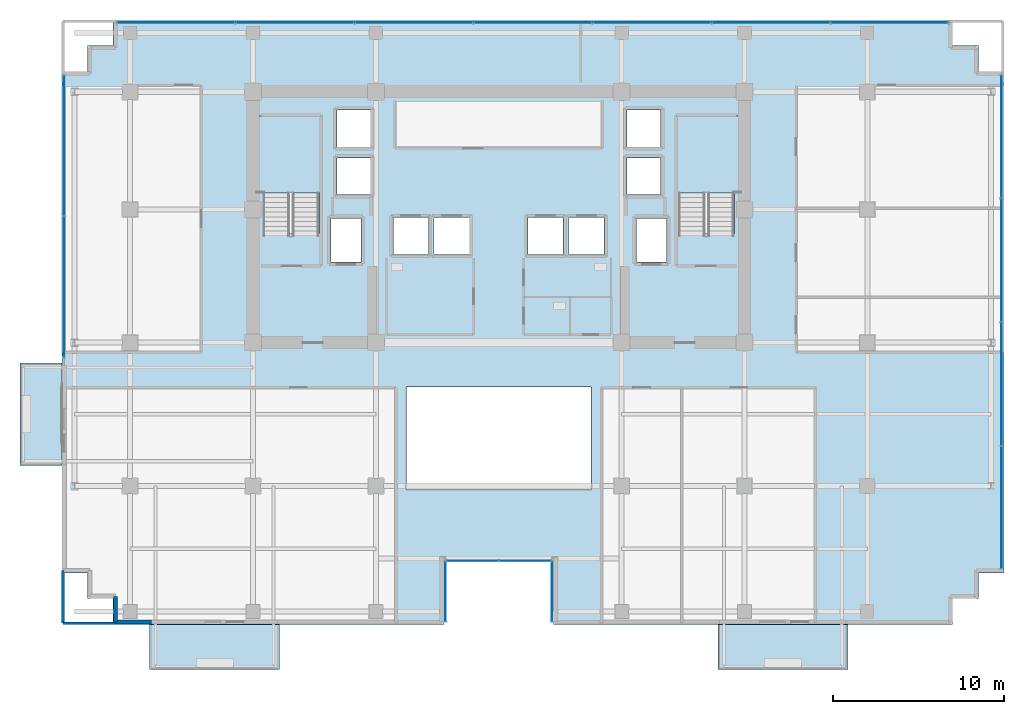
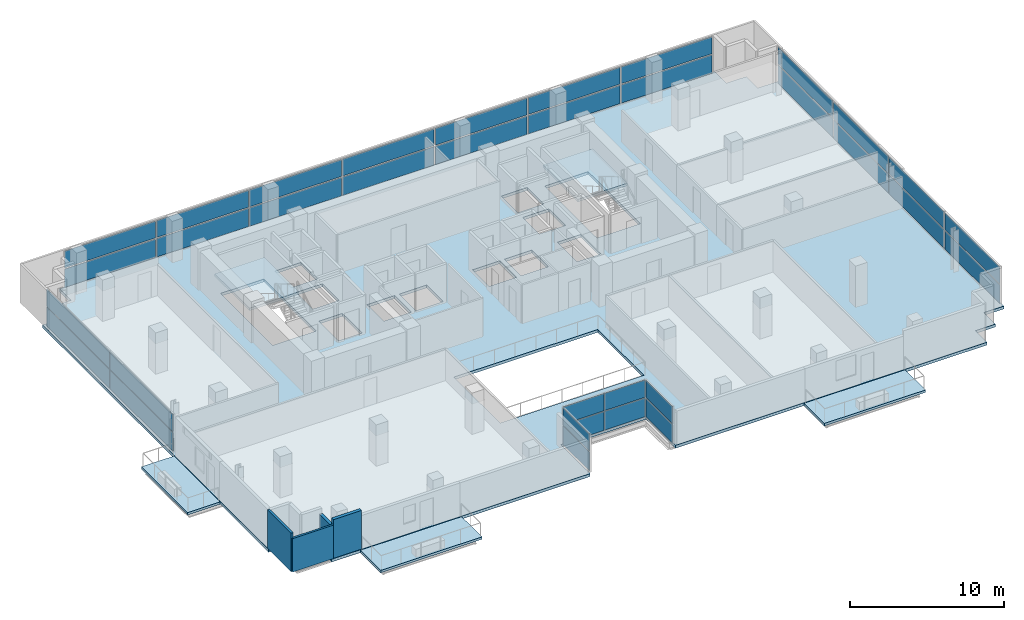
# One storey, part 14 of 23: 34 plates, 6 slabs, 4 walls, 8 elements without a shape of their own.
"""IFC4 building model written with IfcOpenShell, lengths in metres."""

import ifcopenshell
import ifcopenshell.guid

model = None  # the IFC model being written
_history = None  # IfcOwnerHistory: only IFC2X3 demands one
_inside = {}  # id of a spatial element -> (the spatial element, [elements in it])
_under = {}  # id of a project, library or spatial element -> (it, [spatial elements below it])
_declared = {}  # id of a project -> (the project, [libraries it declares])
_typed = {}  # id of a type object -> (the type object, [elements of that type])
_made_of = {}  # id of a material, layer set ... -> (it, [elements and type objects made of it])


def new_model(schema):
    """Start an empty IFC model of exactly this schema.

    Asked for "IFC4X3", IfcOpenShell would pick the latest addendum, in which some entities
    have other attributes; the version numbers below select the first issue.
    IFC2X3 requires an IfcOwnerHistory on every rooted entity: one is made here for all.
    """
    global model, _history
    if schema == "IFC4X3":
        model = ifcopenshell.file(schema_version=(4, 3, 0, 0))
    else:
        model = ifcopenshell.file(schema=schema)
    _inside.clear()
    _under.clear()
    _declared.clear()
    _typed.clear()
    _made_of.clear()
    _history = None
    if model.schema == "IFC2X3":
        org = make("IfcOrganization", Name="unknown")
        user = make(
            "IfcPersonAndOrganization",
            ThePerson=make("IfcPerson", FamilyName="unknown"),
            TheOrganization=org,
        )
        app = make(
            "IfcApplication",
            ApplicationDeveloper=org,
            Version="unknown",
            ApplicationFullName="unknown",
            ApplicationIdentifier="unknown",
        )
        _history = make(
            "IfcOwnerHistory",
            OwningUser=user,
            OwningApplication=app,
            ChangeAction="ADDED",
            CreationDate=0,
        )
    return model


def make(cls, **values):
    """One entity of the class cls with the attributes given. An attribute that is None is left unset."""
    return model.create_entity(
        cls, **{name: value for name, value in values.items() if value is not None}
    )


def rooted(cls, **values):
    """An entity with a GlobalId (a new one), such as an element, a storey or a relation."""
    return make(cls, GlobalId=ifcopenshell.guid.new(), OwnerHistory=_history, **values)


def si_unit(unit_type, name, prefix=None):
    """IfcSIUnit, for example si_unit("LENGTHUNIT", "METRE", prefix="MILLI")."""
    return make("IfcSIUnit", UnitType=unit_type, Prefix=prefix, Name=name)


def assignment(units):
    """IfcUnitAssignment: the units of a project."""
    return None if units is None else make("IfcUnitAssignment", Units=units)


def point(xyz):
    """IfcCartesianPoint."""
    return None if xyz is None else make("IfcCartesianPoint", Coordinates=xyz)


def direction(xyz):
    """IfcDirection."""
    return None if xyz is None else make("IfcDirection", DirectionRatios=xyz)


def frame(location, z_axis=None, x_axis=None):
    """IfcAxis2Placement3D, a coordinate frame: its origin and axes. An axis left out is left unset."""
    return make(
        "IfcAxis2Placement3D",
        Location=point(location),
        Axis=direction(z_axis),
        RefDirection=direction(x_axis),
    )


def frame_2d(location, x_axis=None):
    """IfcAxis2Placement2D, a coordinate frame in the plane: its origin and x axis."""
    return make(
        "IfcAxis2Placement2D", Location=point(location), RefDirection=direction(x_axis)
    )


def origin():
    """The frame at (0, 0, 0) with its axes left unset."""
    return frame((0.0, 0.0, 0.0))


def origin_2d():
    """The frame at (0, 0) in the plane with its x axis left unset."""
    return frame_2d((0.0, 0.0))


def place(relative_to, where):
    """IfcLocalPlacement: puts the frame where relative to a parent placement (None: the world)."""
    return make(
        "IfcLocalPlacement", PlacementRelTo=relative_to, RelativePlacement=where
    )


def context(
    kind, dimensions, precision=None, world=None, true_north=None, identifier=None
):
    """IfcGeometricRepresentationContext, for example the 3D "Model" context."""
    return make(
        "IfcGeometricRepresentationContext",
        ContextIdentifier=identifier,
        ContextType=kind,
        CoordinateSpaceDimension=dimensions,
        Precision=precision,
        WorldCoordinateSystem=world,
        TrueNorth=true_north,
    )


def subcontext(parent, identifier, kind, view, scale=None):
    """IfcGeometricRepresentationSubContext, for example "Body" below "Model"."""
    return make(
        "IfcGeometricRepresentationSubContext",
        ContextIdentifier=identifier,
        ContextType=kind,
        ParentContext=parent,
        TargetScale=scale,
        TargetView=view,
    )


def project(units=None, contexts=None):
    """IfcProject with its units and contexts."""
    return rooted(
        "IfcProject",
        Name="project",
        RepresentationContexts=contexts,
        UnitsInContext=assignment(units),
    )


def spatial(cls, under=None, at=None, **own):
    """A site, building, storey or space (cls), placed at a placement, below another one or the project."""
    s = rooted(cls, ObjectPlacement=at, **own)
    if under is not None:
        _under.setdefault(under.id(), (under, []))[1].append(s)
    return s


def polyline(points):
    """IfcPolyline through the points."""
    return make("IfcPolyline", Points=[point(p) for p in points])


def profile(cls, at=None, kind="AREA", **sizes):
    """A parametric profile (cls). Its sizes go by their IFC names, for example OverallWidth=200.0."""
    return make(cls, ProfileType=kind, Position=at, **sizes)


def rectangle(**sizes):
    """IfcRectangleProfileDef."""
    return profile("IfcRectangleProfileDef", **sizes)


def outline(outer, holes=None, kind="AREA"):
    """IfcArbitraryClosedProfileDef: a profile drawn as a closed curve; with holes, ...WithVoids."""
    if holes is None:
        return make("IfcArbitraryClosedProfileDef", ProfileType=kind, OuterCurve=outer)
    return make(
        "IfcArbitraryProfileDefWithVoids",
        ProfileType=kind,
        OuterCurve=outer,
        InnerCurves=holes,
    )


def extrude(swept, where, along, depth):
    """IfcExtrudedAreaSolid: the profile swept, set in the frame where, extruded along a direction by depth."""
    return make(
        "IfcExtrudedAreaSolid",
        SweptArea=swept,
        Position=where,
        ExtrudedDirection=direction(along),
        Depth=depth,
    )


def shape(context_of_items, identifier, shape_type, items):
    """IfcShapeRepresentation: the items that make up one representation, for example the "Body"."""
    return make(
        "IfcShapeRepresentation",
        ContextOfItems=context_of_items,
        RepresentationIdentifier=identifier,
        RepresentationType=shape_type,
        Items=items,
    )


def source(mapping_origin, context_of_items, identifier, shape_type, items):
    """IfcRepresentationMap: a shape defined once, which mapped items show again and again."""
    return make(
        "IfcRepresentationMap",
        MappingOrigin=mapping_origin,
        MappedRepresentation=shape(context_of_items, identifier, shape_type, items),
    )


def transform(
    local_origin,
    x_axis=None,
    y_axis=None,
    z_axis=None,
    scale=None,
    scale2=None,
    scale3=None,
    uniform=True,
):
    """IfcCartesianTransformationOperator3D, or its non-uniform kind. x_axis, y_axis, z_axis: its Axis1, 2, 3."""
    if uniform:
        return make(
            "IfcCartesianTransformationOperator3D",
            Axis1=direction(x_axis),
            Axis2=direction(y_axis),
            LocalOrigin=point(local_origin),
            Scale=scale,
            Axis3=direction(z_axis),
        )
    return make(
        "IfcCartesianTransformationOperator3DnonUniform",
        Axis1=direction(x_axis),
        Axis2=direction(y_axis),
        LocalOrigin=point(local_origin),
        Scale=scale,
        Axis3=direction(z_axis),
        Scale2=scale2,
        Scale3=scale3,
    )


def mapped(mapping_source, mapping_target):
    """IfcMappedItem: shows the shape of a source again, moved by a transform."""
    return make(
        "IfcMappedItem", MappingSource=mapping_source, MappingTarget=mapping_target
    )


def material(Name=None, Category=None):
    """IfcMaterial."""
    return make("IfcMaterial", Name=Name, Category=Category)


def layer(
    of_material, thickness, ventilated=None, Name=None, Category=None, Priority=None
):
    """IfcMaterialLayer: one layer of a wall or slab, of a material (None: an air gap)."""
    return make(
        "IfcMaterialLayer",
        Material=of_material,
        LayerThickness=thickness,
        IsVentilated=ventilated,
        Name=Name,
        Category=Category,
        Priority=Priority,
    )


def layer_set(layers, Name=None):
    """IfcMaterialLayerSet."""
    return make("IfcMaterialLayerSet", MaterialLayers=layers, LayerSetName=Name)


def made_of(thing, what):
    """Note that an element or type object is made of a material, layer set ...; save() writes the relation."""
    if what is not None:
        _made_of.setdefault(what.id(), (what, []))[1].append(thing)
    return thing


def type_object(cls, material=None, **own):
    """A type object (cls), such as IfcWallType, which elements share."""
    return made_of(rooted(cls, **own), material)


def element(
    cls,
    number,
    at=None,
    inside=None,
    cuts=None,
    type_object=None,
    material=None,
    context=None,
    identifier="Body",
    shape_type=None,
    held_by="IfcProductDefinitionShape",
    body=None,
    shapes=None,
    **own,
):
    """One element of the class cls, such as IfcWall. Its Tag is "e" and its number.

    at: its placement. inside: the storey or other place that contains it. cuts: it is an
    opening in that element (IfcRelVoidsElement). A single representation is given by context,
    identifier, shape_type and body (its items); several are given by shapes. held_by: the class
    of the entity that holds the representations. save() writes the other relations.
    """
    e = rooted(cls, Tag="e%d" % number, ObjectPlacement=at, **own)
    if body is not None:
        shapes = [shape(context, identifier, shape_type, body)]
    if shapes is not None:
        e.Representation = make(held_by, Representations=shapes)
    if inside is not None:
        _inside.setdefault(inside.id(), (inside, []))[1].append(e)
    if cuts is not None:
        rooted(
            "IfcRelVoidsElement", RelatingBuildingElement=cuts, RelatedOpeningElement=e
        )
    if type_object is not None:
        _typed.setdefault(type_object.id(), (type_object, []))[1].append(e)
    return made_of(e, material)


def aggregate(whole, parts):
    """IfcRelAggregates: a whole, such as a stair, and the parts it consists of."""
    return rooted("IfcRelAggregates", RelatingObject=whole, RelatedObjects=parts)


def save(model, path):
    """Write the relations noted so far, then the file.

    IfcRelAggregates (storeys below a building ...), IfcRelContainedInSpatialStructure (elements
    in a storey), IfcRelDefinesByType, IfcRelAssociatesMaterial and IfcRelDeclares: one each for
    every whole, place, type object, material and project.
    """
    for whole, parts in _under.values():
        aggregate(whole, parts)
    for where, things in _inside.values():
        rooted(
            "IfcRelContainedInSpatialStructure",
            RelatedElements=things,
            RelatingStructure=where,
        )
    for kind, things in _typed.values():
        rooted("IfcRelDefinesByType", RelatedObjects=things, RelatingType=kind)
    for what, things in _made_of.values():
        rooted("IfcRelAssociatesMaterial", RelatedObjects=things, RelatingMaterial=what)
    for by, libraries in _declared.values():
        rooted("IfcRelDeclares", RelatingContext=by, RelatedDefinitions=libraries)
    model.write(path)


model = new_model("IFC4")

# Units and contexts
model_context = context("Model", 3, precision=1e-05, world=origin(), true_north=direction((0.0, 1.0)))
body_context = subcontext(model_context, "Body", "Model", "MODEL_VIEW")
ifc_project = project(units=[si_unit("LENGTHUNIT", "METRE"), si_unit("AREAUNIT", "SQUARE_METRE"), si_unit("VOLUMEUNIT", "CUBIC_METRE"), si_unit("PLANEANGLEUNIT", "RADIAN"), si_unit("MASSUNIT", "GRAM", prefix="KILO")], contexts=[model_context])

# Site, building, storey
site_placement = place(None, origin())
site = spatial("IfcSite", under=ifc_project, at=site_placement, CompositionType="ELEMENT")
building_placement = place(site_placement, origin())
building = spatial("IfcBuilding", under=site, at=building_placement, Name="Zarnakvel Exchange Tower", CompositionType="ELEMENT")
storey_placement = place(building_placement, frame((0.0, 0.0, 123.10009765625)))
storey = spatial("IfcBuildingStorey", under=building, at=storey_placement, Name="L34", CompositionType="ELEMENT", Elevation=123.10009765625)

# Stair, slab
ifc_material_1 = material(Name="Concrete C40/50", Category="concrete")
stair_type = type_object("IfcStairType", Name="STR-01", PredefinedType="HALF_TURN_STAIR", material=ifc_material_1)
stair_1_placement = place(storey_placement, origin())
stair_1 = element("IfcStair", 1, at=stair_1_placement, inside=storey, type_object=stair_type, Name="L34 Protected Core Exit Stair ST-01", PredefinedType="HALF_TURN_STAIR")
ifc_layer_1 = layer(ifc_material_1, 0.199951171875)
ifc_layer_set_1 = layer_set([ifc_layer_1], Name="Concrete C40/50")
slab_type_1 = type_object("IfcSlabType", Name="LDG-01", PredefinedType="LANDING", material=ifc_layer_set_1)
slab_1_placement = place(storey_placement, frame((0.0, 0.0, 1.449951171875)))
slab_1 = element("IfcSlab", 2, at=slab_1_placement, type_object=slab_type_1, Name="ST-01 landing 1", PredefinedType="LANDING", context=body_context, shape_type="SweptSolid", body=[
    extrude(outline(polyline([(-14.18994140625, 7.570068359375), (-10.4599609375, 7.570068359375), (-10.4599609375, 12.080078125), (-14.18994140625, 12.080078125), (-14.18994140625, 7.570068359375)])), origin(), (0.0, 0.0, 1.0), 0.199951171875),
])
aggregate(stair_1, [slab_1])

stair_2_placement = place(storey_placement, origin())
stair_2 = element("IfcStair", 3, at=stair_2_placement, inside=storey, type_object=stair_type, Name="L34 Protected Core Exit Stair ST-02", PredefinedType="HALF_TURN_STAIR")
slab_2_placement = place(storey_placement, frame((0.0, 0.0, 1.449951171875)))
slab_2 = element("IfcSlab", 4, at=slab_2_placement, type_object=slab_type_1, Name="ST-02 landing 1", PredefinedType="LANDING", context=body_context, shape_type="SweptSolid", body=[
    extrude(outline(polyline([(10.4599609375, 7.570068359375), (14.18994140625, 7.570068359375), (14.18994140625, 12.080078125), (10.4599609375, 12.080078125), (10.4599609375, 7.570068359375)])), origin(), (0.0, 0.0, 1.0), 0.199951171875),
])
aggregate(stair_2, [slab_2])

# Slabs
ifc_layer_2 = layer(ifc_material_1, 0.22509765625)
ifc_layer_set_2 = layer_set([ifc_layer_2], Name="Concrete C40/50")
slab_type_2 = type_object("IfcSlabType", Name="SL-04", PredefinedType="FLOOR", material=ifc_layer_set_2)
slab_3_placement = place(storey_placement, frame((0.0, 0.0, -0.22509765625)))
element("IfcSlab", 5, at=slab_3_placement, inside=storey, type_object=slab_type_2, Name="L34 Primary Structural Floor Slab", PredefinedType="FLOOR", context=body_context, shape_type="SweptSolid", body=[
    extrude(outline(polyline([(-25.60009765625, -14.699951171875), (-24.10009765625, -14.699951171875), (-24.10009765625, -16.199951171875), (-22.60009765625, -16.199951171875), (-22.60009765625, -17.699951171875), (-3.199951171875, -17.699951171875), (-3.199951171875, -13.89990234375), (3.199951171875, -13.89990234375), (3.199951171875, -17.699951171875), (26.60009765625, -17.699951171875), (26.60009765625, -16.199951171875), (28.10009765625, -16.199951171875), (28.10009765625, -14.699951171875), (29.60009765625, -14.699951171875), (29.60009765625, 14.699951171875), (28.10009765625, 14.699951171875), (28.10009765625, 16.199951171875), (26.60009765625, 16.199951171875), (26.60009765625, 17.699951171875), (-22.60009765625, 17.699951171875), (-22.60009765625, 16.199951171875), (-24.10009765625, 16.199951171875), (-24.10009765625, 14.699951171875), (-25.60009765625, 14.699951171875), (-25.60009765625, -14.699951171875)]), holes=[polyline([(-5.39990234375, -9.800048828125), (5.39990234375, -9.800048828125), (5.39990234375, -3.800048828125), (-5.39990234375, -3.800048828125), (-5.39990234375, -9.800048828125)]), polyline([(-13.800048828125, 5.2099609375), (-10.5400390625, 5.2099609375), (-10.5400390625, 12.0), (-13.800048828125, 12.0), (-13.800048828125, 5.2099609375)]), polyline([(10.5400390625, 5.2099609375), (13.800048828125, 5.2099609375), (13.800048828125, 12.0), (10.5400390625, 12.0), (10.5400390625, 5.2099609375)]), polyline([(-9.830078125, 3.52001953125), (-8.070068359375, 3.52001953125), (-8.070068359375, 6.080078125), (-9.830078125, 6.080078125), (-9.830078125, 3.52001953125)]), polyline([(8.070068359375, 3.52001953125), (9.830078125, 3.52001953125), (9.830078125, 6.080078125), (8.070068359375, 6.080078125), (8.070068359375, 3.52001953125)]), polyline([(-6.179931640625, 3.969970703125), (-4.1201171875, 3.969970703125), (-4.1201171875, 6.1298828125), (-6.179931640625, 6.1298828125), (-6.179931640625, 3.969970703125)]), polyline([(-3.780029296875, 3.969970703125), (-1.719970703125, 3.969970703125), (-1.719970703125, 6.1298828125), (-3.780029296875, 6.1298828125), (-3.780029296875, 3.969970703125)]), polyline([(1.719970703125, 3.969970703125), (3.780029296875, 3.969970703125), (3.780029296875, 6.1298828125), (1.719970703125, 6.1298828125), (1.719970703125, 3.969970703125)]), polyline([(4.1201171875, 3.969970703125), (6.179931640625, 3.969970703125), (6.179931640625, 6.1298828125), (4.1201171875, 6.1298828125), (4.1201171875, 3.969970703125)]), polyline([(-9.47998046875, 7.469970703125), (-7.52001953125, 7.469970703125), (-7.52001953125, 9.6298828125), (-9.47998046875, 9.6298828125), (-9.47998046875, 7.469970703125)]), polyline([(-9.47998046875, 10.27001953125), (-7.52001953125, 10.27001953125), (-7.52001953125, 12.429931640625), (-9.47998046875, 12.429931640625), (-9.47998046875, 10.27001953125)]), polyline([(7.52001953125, 7.469970703125), (9.47998046875, 7.469970703125), (9.47998046875, 9.6298828125), (7.52001953125, 9.6298828125), (7.52001953125, 7.469970703125)]), polyline([(7.52001953125, 10.27001953125), (9.47998046875, 10.27001953125), (9.47998046875, 12.429931640625), (7.52001953125, 12.429931640625), (7.52001953125, 10.27001953125)])]), origin(), (0.0, 0.0, 1.0), 0.22509765625),
])
ifc_layer_3 = layer(ifc_material_1, 0.18994140625)
ifc_layer_set_3 = layer_set([ifc_layer_3], Name="Concrete C40/50")
slab_type_3 = type_object("IfcSlabType", Name="SL-08", PredefinedType="USERDEFINED", material=ifc_layer_set_3)
slab_4_placement = place(storey_placement, frame((0.0, 0.0, -0.22509765625)))
element("IfcSlab", 6, at=slab_4_placement, inside=storey, type_object=slab_type_3, Name="L34 Planted Loggia Balcony Slab BAL-L34-SW", ObjectType="BALCONY", PredefinedType="USERDEFINED", context=body_context, shape_type="SweptSolid", body=[
    extrude(outline(polyline([(-20.449951171875, -20.35009765625), (-12.85009765625, -20.35009765625), (-12.85009765625, -17.699951171875), (-20.449951171875, -17.699951171875), (-20.449951171875, -20.35009765625)])), origin(), (0.0, 0.0, 1.0), 0.18994140625),
])
slab_5_placement = place(storey_placement, frame((0.0, 0.0, -0.22509765625)))
element("IfcSlab", 7, at=slab_5_placement, inside=storey, type_object=slab_type_3, Name="L34 Planted Loggia Balcony Slab BAL-L34-SE", ObjectType="BALCONY", PredefinedType="USERDEFINED", context=body_context, shape_type="SweptSolid", body=[
    extrude(outline(polyline([(12.85009765625, -20.35009765625), (20.449951171875, -20.35009765625), (20.449951171875, -17.699951171875), (12.85009765625, -17.699951171875), (12.85009765625, -20.35009765625)])), origin(), (0.0, 0.0, 1.0), 0.18994140625),
])
slab_6_placement = place(storey_placement, frame((0.0, 0.0, -0.22509765625)))
element("IfcSlab", 8, at=slab_6_placement, inside=storey, type_object=slab_type_3, Name="L34 Planted Loggia Balcony Slab BAL-L34-W", ObjectType="BALCONY", PredefinedType="USERDEFINED", context=body_context, shape_type="SweptSolid", body=[
    extrude(outline(polyline([(-28.050048828125, -8.39990234375), (-25.60009765625, -8.39990234375), (-25.60009765625, -2.39990234375), (-28.050048828125, -2.39990234375), (-28.050048828125, -8.39990234375)])), origin(), (0.0, 0.0, 1.0), 0.18994140625),
])

# Curtain wall, plate
ifc_material_2 = material(Name="Architectural Bronze Anodised Aluminium", Category="aluminium")
ifc_layer_4 = layer(ifc_material_2, 0.179931640625)
ifc_layer_set_4 = layer_set([ifc_layer_4], Name="Architectural Bronze Anodised Aluminium")
curtain_wall_type_1 = type_object("IfcCurtainWallType", Name="CW-05", PredefinedType="NOTDEFINED", material=ifc_layer_set_4)
curtain_wall_1_placement = place(storey_placement, origin())
curtain_wall_1 = element("IfcCurtainWall", 9, at=curtain_wall_1_placement, inside=storey, type_object=curtain_wall_type_1, Name="L34 Curtain Wall CW-L34-SLW (CW-05)", PredefinedType="NOTDEFINED")
ifc_material_3 = material(Name="Double Low-E Laminated Vision Glass", Category="glass")
ifc_layer_5 = layer(ifc_material_3, 0.02587890625)
ifc_layer_set_5 = layer_set([ifc_layer_5], Name="Double Low-E Laminated Vision Glass")
plate_type_1 = type_object("IfcPlateType", Name="CWP-05", PredefinedType="CURTAIN_PANEL", material=ifc_layer_set_5)
shared_shape_1 = source(origin(), body_context, "Body", "SweptSolid", [
    extrude(rectangle(XDim=3.4599609375, YDim=0.02587890625, at=origin_2d()), origin(), (0.0, 0.0, 1.0), 1.483642578125),
])
plate_1_placement = place(storey_placement, frame((-3.1201171875, -15.780029296875, 0.06982421875), z_axis=(0.0, 0.0, 1.0), x_axis=(0.0, 1.0, 0.0)))
plate_1 = element("IfcPlate", 10, at=plate_1_placement, type_object=plate_type_1, Name="CW-05 panel 1.1", PredefinedType="CURTAIN_PANEL", context=body_context, shape_type="MappedRepresentation", body=[
    mapped(shared_shape_1, transform((0.0, 0.0, 0.0), x_axis=(1.0, 0.0, 0.0), y_axis=(0.0, 1.0, 0.0), z_axis=(0.0, 0.0, 1.0), scale=1.0)),
])

curtain_wall_2_placement = place(storey_placement, origin())
curtain_wall_2 = element("IfcCurtainWall", 11, at=curtain_wall_2_placement, inside=storey, type_object=curtain_wall_type_1, Name="L34 Curtain Wall CW-L34-SLE (CW-05)", PredefinedType="NOTDEFINED")
plate_2_placement = place(storey_placement, frame((3.1201171875, -15.780029296875, 0.06982421875), z_axis=(0.0, 0.0, 1.0), x_axis=(0.0, -1.0, 0.0)))
plate_2 = element("IfcPlate", 12, at=plate_2_placement, type_object=plate_type_1, Name="CW-05 panel 1.1", PredefinedType="CURTAIN_PANEL", context=body_context, shape_type="MappedRepresentation", body=[
    mapped(shared_shape_1, transform((0.0, 0.0, 0.0), x_axis=(1.0, 0.0, 0.0), y_axis=(0.0, 1.0, 0.0), z_axis=(0.0, 0.0, 1.0), scale=1.0)),
])

# Plate
shared_shape_2 = source(origin(), body_context, "Body", "SweptSolid", [
    extrude(rectangle(XDim=3.4599609375, YDim=0.02587890625, at=origin_2d()), origin(), (0.0, 0.0, 1.0), 1.361328125),
])
plate_3_placement = place(storey_placement, frame((-3.1201171875, -15.780029296875, 1.62353515625), z_axis=(0.0, 0.0, 1.0), x_axis=(0.0, 1.0, 0.0)))
plate_3 = element("IfcPlate", 13, at=plate_3_placement, type_object=plate_type_1, Name="CW-05 panel 1.2", PredefinedType="CURTAIN_PANEL", context=body_context, shape_type="MappedRepresentation", body=[
    mapped(shared_shape_2, transform((0.0, 0.0, 0.0), x_axis=(1.0, 0.0, 0.0), y_axis=(0.0, 1.0, 0.0), z_axis=(0.0, 0.0, 1.0), scale=1.0)),
])

aggregate(curtain_wall_1, [plate_1, plate_3])

plate_4_placement = place(storey_placement, frame((3.1201171875, -15.780029296875, 1.62353515625), z_axis=(0.0, 0.0, 1.0), x_axis=(0.0, -1.0, 0.0)))
plate_4 = element("IfcPlate", 14, at=plate_4_placement, type_object=plate_type_1, Name="CW-05 panel 1.2", PredefinedType="CURTAIN_PANEL", context=body_context, shape_type="MappedRepresentation", body=[
    mapped(shared_shape_2, transform((0.0, 0.0, 0.0), x_axis=(1.0, 0.0, 0.0), y_axis=(0.0, 1.0, 0.0), z_axis=(0.0, 0.0, 1.0), scale=1.0)),
])

aggregate(curtain_wall_2, [plate_2, plate_4])

# Curtain wall, plates
curtain_wall_3_placement = place(storey_placement, origin())
curtain_wall_3 = element("IfcCurtainWall", 15, at=curtain_wall_3_placement, inside=storey, type_object=curtain_wall_type_1, Name="L34 Curtain Wall CW-L34-SLB (CW-05)", PredefinedType="NOTDEFINED")
shared_shape_3 = source(origin(), body_context, "Body", "SweptSolid", [
    extrude(rectangle(XDim=3.014892578125, YDim=0.02587890625, at=origin_2d()), origin(), (0.0, 0.0, 1.0), 1.483642578125),
])
plate_5_placement = place(storey_placement, frame((-1.54248046875, -13.97998046875, 0.06982421875), z_axis=(0.0, 0.0, 1.0), x_axis=(1.0, 0.0, 0.0)))
plate_5 = element("IfcPlate", 16, at=plate_5_placement, type_object=plate_type_1, Name="CW-05 panel 1.1", PredefinedType="CURTAIN_PANEL", context=body_context, shape_type="MappedRepresentation", body=[
    mapped(shared_shape_3, transform((0.0, 0.0, 0.0), x_axis=(1.0, 0.0, 0.0), y_axis=(0.0, 1.0, 0.0), z_axis=(0.0, 0.0, 1.0), scale=1.0)),
])
plate_6_placement = place(storey_placement, frame((1.54248046875, -13.97998046875, 0.06982421875), z_axis=(0.0, 0.0, 1.0), x_axis=(1.0, 0.0, 0.0)))
plate_6 = element("IfcPlate", 17, at=plate_6_placement, type_object=plate_type_1, Name="CW-05 panel 2.1", PredefinedType="CURTAIN_PANEL", context=body_context, shape_type="MappedRepresentation", body=[
    mapped(shared_shape_3, transform((0.0, 0.0, 0.0), x_axis=(1.0, 0.0, 0.0), y_axis=(0.0, 1.0, 0.0), z_axis=(0.0, 0.0, 1.0), scale=1.0)),
])
shared_shape_4 = source(origin(), body_context, "Body", "SweptSolid", [
    extrude(rectangle(XDim=3.014892578125, YDim=0.02587890625, at=origin_2d()), origin(), (0.0, 0.0, 1.0), 1.361328125),
])
plate_7_placement = place(storey_placement, frame((-1.54248046875, -13.97998046875, 1.62353515625), z_axis=(0.0, 0.0, 1.0), x_axis=(1.0, 0.0, 0.0)))
plate_7 = element("IfcPlate", 18, at=plate_7_placement, type_object=plate_type_1, Name="CW-05 panel 1.2", PredefinedType="CURTAIN_PANEL", context=body_context, shape_type="MappedRepresentation", body=[
    mapped(shared_shape_4, transform((0.0, 0.0, 0.0), x_axis=(1.0, 0.0, 0.0), y_axis=(0.0, 1.0, 0.0), z_axis=(0.0, 0.0, 1.0), scale=1.0)),
])
plate_8_placement = place(storey_placement, frame((1.54248046875, -13.97998046875, 1.62353515625), z_axis=(0.0, 0.0, 1.0), x_axis=(1.0, 0.0, 0.0)))
plate_8 = element("IfcPlate", 19, at=plate_8_placement, type_object=plate_type_1, Name="CW-05 panel 2.2", PredefinedType="CURTAIN_PANEL", context=body_context, shape_type="MappedRepresentation", body=[
    mapped(shared_shape_4, transform((0.0, 0.0, 0.0), x_axis=(1.0, 0.0, 0.0), y_axis=(0.0, 1.0, 0.0), z_axis=(0.0, 0.0, 1.0), scale=1.0)),
])
aggregate(curtain_wall_3, [plate_5, plate_7, plate_6, plate_8])

ifc_layer_6 = layer(ifc_material_2, 0.199951171875)
ifc_layer_set_6 = layer_set([ifc_layer_6], Name="Architectural Bronze Anodised Aluminium")
curtain_wall_type_2 = type_object("IfcCurtainWallType", Name="CW-04", PredefinedType="NOTDEFINED", material=ifc_layer_set_6)
curtain_wall_4_placement = place(storey_placement, origin())
curtain_wall_4 = element("IfcCurtainWall", 20, at=curtain_wall_4_placement, inside=storey, type_object=curtain_wall_type_2, Name="L34 Curtain Wall CW-L34-E1 (CW-04)", PredefinedType="NOTDEFINED")
ifc_layer_7 = layer(ifc_material_3, 0.028076171875)
ifc_layer_set_7 = layer_set([ifc_layer_7], Name="Double Low-E Laminated Vision Glass")
plate_type_2 = type_object("IfcPlateType", Name="CWP-04", PredefinedType="CURTAIN_PANEL", material=ifc_layer_set_7)
shared_shape_5 = source(origin(), body_context, "Body", "SweptSolid", [
    extrude(rectangle(XDim=7.137451171875, YDim=0.028076171875, at=origin_2d()), origin(), (0.0, 0.0, 1.0), 1.47607421875),
])
plate_9_placement = place(storey_placement, frame((29.4599609375, -10.856201171875, 0.074951171875), z_axis=(0.0, 0.0, 1.0), x_axis=(0.0, 1.0, 0.0)))
plate_9 = element("IfcPlate", 21, at=plate_9_placement, type_object=plate_type_2, Name="CW-04 panel 1.1", PredefinedType="CURTAIN_PANEL", context=body_context, shape_type="MappedRepresentation", body=[
    mapped(shared_shape_5, transform((0.0, 0.0, 0.0), x_axis=(1.0, 0.0, 0.0), y_axis=(0.0, 1.0, 0.0), z_axis=(0.0, 0.0, 1.0), scale=1.0)),
])
plate_10_placement = place(storey_placement, frame((29.4599609375, 10.856201171875, 0.074951171875), z_axis=(0.0, 0.0, 1.0), x_axis=(0.0, 1.0, 0.0)))
plate_10 = element("IfcPlate", 22, at=plate_10_placement, type_object=plate_type_2, Name="CW-04 panel 4.1", PredefinedType="CURTAIN_PANEL", context=body_context, shape_type="MappedRepresentation", body=[
    mapped(shared_shape_5, transform((0.0, 0.0, 0.0), x_axis=(1.0, 0.0, 0.0), y_axis=(0.0, 1.0, 0.0), z_axis=(0.0, 0.0, 1.0), scale=1.0)),
])
shared_shape_6 = source(origin(), body_context, "Body", "SweptSolid", [
    extrude(rectangle(XDim=7.137451171875, YDim=0.028076171875, at=origin_2d()), origin(), (0.0, 0.0, 1.0), 1.35400390625),
])
plate_11_placement = place(storey_placement, frame((29.4599609375, -10.856201171875, 1.6259765625), z_axis=(0.0, 0.0, 1.0), x_axis=(0.0, 1.0, 0.0)))
plate_11 = element("IfcPlate", 23, at=plate_11_placement, type_object=plate_type_2, Name="CW-04 panel 1.2", PredefinedType="CURTAIN_PANEL", context=body_context, shape_type="MappedRepresentation", body=[
    mapped(shared_shape_6, transform((0.0, 0.0, 0.0), x_axis=(1.0, 0.0, 0.0), y_axis=(0.0, 1.0, 0.0), z_axis=(0.0, 0.0, 1.0), scale=1.0)),
])
plate_12_placement = place(storey_placement, frame((29.4599609375, 10.856201171875, 1.6259765625), z_axis=(0.0, 0.0, 1.0), x_axis=(0.0, 1.0, 0.0)))
plate_12 = element("IfcPlate", 24, at=plate_12_placement, type_object=plate_type_2, Name="CW-04 panel 4.2", PredefinedType="CURTAIN_PANEL", context=body_context, shape_type="MappedRepresentation", body=[
    mapped(shared_shape_6, transform((0.0, 0.0, 0.0), x_axis=(1.0, 0.0, 0.0), y_axis=(0.0, 1.0, 0.0), z_axis=(0.0, 0.0, 1.0), scale=1.0)),
])
shared_shape_7 = source(origin(), body_context, "Body", "SweptSolid", [
    extrude(rectangle(XDim=7.175048828125, YDim=0.028076171875, at=origin_2d()), origin(), (0.0, 0.0, 1.0), 1.47607421875),
])
plate_13_placement = place(storey_placement, frame((29.4599609375, -3.625, 0.074951171875), z_axis=(0.0, 0.0, 1.0), x_axis=(0.0, 1.0, 0.0)))
plate_13 = element("IfcPlate", 25, at=plate_13_placement, type_object=plate_type_2, Name="CW-04 panel 2.1", PredefinedType="CURTAIN_PANEL", context=body_context, shape_type="MappedRepresentation", body=[
    mapped(shared_shape_7, transform((0.0, 0.0, 0.0), x_axis=(1.0, 0.0, 0.0), y_axis=(0.0, 1.0, 0.0), z_axis=(0.0, 0.0, 1.0), scale=1.0)),
])
plate_14_placement = place(storey_placement, frame((29.4599609375, 3.625, 0.074951171875), z_axis=(0.0, 0.0, 1.0), x_axis=(0.0, 1.0, 0.0)))
plate_14 = element("IfcPlate", 26, at=plate_14_placement, type_object=plate_type_2, Name="CW-04 panel 3.1", PredefinedType="CURTAIN_PANEL", context=body_context, shape_type="MappedRepresentation", body=[
    mapped(shared_shape_7, transform((0.0, 0.0, 0.0), x_axis=(1.0, 0.0, 0.0), y_axis=(0.0, 1.0, 0.0), z_axis=(0.0, 0.0, 1.0), scale=1.0)),
])
shared_shape_8 = source(origin(), body_context, "Body", "SweptSolid", [
    extrude(rectangle(XDim=7.175048828125, YDim=0.028076171875, at=origin_2d()), origin(), (0.0, 0.0, 1.0), 1.35400390625),
])
plate_15_placement = place(storey_placement, frame((29.4599609375, -3.625, 1.6259765625), z_axis=(0.0, 0.0, 1.0), x_axis=(0.0, 1.0, 0.0)))
plate_15 = element("IfcPlate", 27, at=plate_15_placement, type_object=plate_type_2, Name="CW-04 panel 2.2", PredefinedType="CURTAIN_PANEL", context=body_context, shape_type="MappedRepresentation", body=[
    mapped(shared_shape_8, transform((0.0, 0.0, 0.0), x_axis=(1.0, 0.0, 0.0), y_axis=(0.0, 1.0, 0.0), z_axis=(0.0, 0.0, 1.0), scale=1.0)),
])
plate_16_placement = place(storey_placement, frame((29.4599609375, 3.625, 1.6259765625), z_axis=(0.0, 0.0, 1.0), x_axis=(0.0, 1.0, 0.0)))
plate_16 = element("IfcPlate", 28, at=plate_16_placement, type_object=plate_type_2, Name="CW-04 panel 3.2", PredefinedType="CURTAIN_PANEL", context=body_context, shape_type="MappedRepresentation", body=[
    mapped(shared_shape_8, transform((0.0, 0.0, 0.0), x_axis=(1.0, 0.0, 0.0), y_axis=(0.0, 1.0, 0.0), z_axis=(0.0, 0.0, 1.0), scale=1.0)),
])
aggregate(curtain_wall_4, [plate_9, plate_11, plate_13, plate_15, plate_14, plate_16, plate_10, plate_12])

curtain_wall_5_placement = place(storey_placement, origin())
curtain_wall_5 = element("IfcCurtainWall", 29, at=curtain_wall_5_placement, inside=storey, type_object=curtain_wall_type_2, Name="L34 Curtain Wall CW-L34-WN (CW-04)", PredefinedType="NOTDEFINED")
shared_shape_9 = source(origin(), body_context, "Body", "SweptSolid", [
    extrude(rectangle(XDim=8.1875, YDim=0.028076171875, at=origin_2d()), origin(), (0.0, 0.0, 1.0), 1.47607421875),
])
plate_17_placement = place(storey_placement, frame((-25.4599609375, 2.06884765625, 0.074951171875), z_axis=(0.0, 0.0, 1.0), x_axis=(0.0, 1.0, 0.0)))
plate_17 = element("IfcPlate", 30, at=plate_17_placement, type_object=plate_type_2, Name="CW-04 panel 1.1", PredefinedType="CURTAIN_PANEL", context=body_context, shape_type="MappedRepresentation", body=[
    mapped(shared_shape_9, transform((0.0, 0.0, 0.0), x_axis=(1.0, 0.0, 0.0), y_axis=(0.0, 1.0, 0.0), z_axis=(0.0, 0.0, 1.0), scale=1.0)),
])
plate_18_placement = place(storey_placement, frame((-25.4599609375, 10.331298828125, 0.074951171875), z_axis=(0.0, 0.0, 1.0), x_axis=(0.0, 1.0, 0.0)))
plate_18 = element("IfcPlate", 31, at=plate_18_placement, type_object=plate_type_2, Name="CW-04 panel 2.1", PredefinedType="CURTAIN_PANEL", context=body_context, shape_type="MappedRepresentation", body=[
    mapped(shared_shape_9, transform((0.0, 0.0, 0.0), x_axis=(1.0, 0.0, 0.0), y_axis=(0.0, 1.0, 0.0), z_axis=(0.0, 0.0, 1.0), scale=1.0)),
])
shared_shape_10 = source(origin(), body_context, "Body", "SweptSolid", [
    extrude(rectangle(XDim=8.1875, YDim=0.028076171875, at=origin_2d()), origin(), (0.0, 0.0, 1.0), 1.35400390625),
])
plate_19_placement = place(storey_placement, frame((-25.4599609375, 2.06884765625, 1.6259765625), z_axis=(0.0, 0.0, 1.0), x_axis=(0.0, 1.0, 0.0)))
plate_19 = element("IfcPlate", 32, at=plate_19_placement, type_object=plate_type_2, Name="CW-04 panel 1.2", PredefinedType="CURTAIN_PANEL", context=body_context, shape_type="MappedRepresentation", body=[
    mapped(shared_shape_10, transform((0.0, 0.0, 0.0), x_axis=(1.0, 0.0, 0.0), y_axis=(0.0, 1.0, 0.0), z_axis=(0.0, 0.0, 1.0), scale=1.0)),
])
plate_20_placement = place(storey_placement, frame((-25.4599609375, 10.331298828125, 1.6259765625), z_axis=(0.0, 0.0, 1.0), x_axis=(0.0, 1.0, 0.0)))
plate_20 = element("IfcPlate", 33, at=plate_20_placement, type_object=plate_type_2, Name="CW-04 panel 2.2", PredefinedType="CURTAIN_PANEL", context=body_context, shape_type="MappedRepresentation", body=[
    mapped(shared_shape_10, transform((0.0, 0.0, 0.0), x_axis=(1.0, 0.0, 0.0), y_axis=(0.0, 1.0, 0.0), z_axis=(0.0, 0.0, 1.0), scale=1.0)),
])
aggregate(curtain_wall_5, [plate_17, plate_19, plate_18, plate_20])

ifc_layer_8 = layer(ifc_material_2, 0.239990234375)
ifc_layer_set_8 = layer_set([ifc_layer_8], Name="Architectural Bronze Anodised Aluminium")
curtain_wall_type_3 = type_object("IfcCurtainWallType", Name="CW-02", PredefinedType="NOTDEFINED", material=ifc_layer_set_8)
curtain_wall_6_placement = place(storey_placement, origin())
curtain_wall_6 = element("IfcCurtainWall", 34, at=curtain_wall_6_placement, inside=storey, type_object=curtain_wall_type_3, Name="L34 Curtain Wall CW-L34-N1 (CW-02)", PredefinedType="NOTDEFINED")
ifc_layer_9 = layer(ifc_material_3, 0.031982421875)
ifc_layer_set_9 = layer_set([ifc_layer_9], Name="Double Low-E Laminated Vision Glass")
plate_type_3 = type_object("IfcPlateType", Name="CWP-02", PredefinedType="CURTAIN_PANEL", material=ifc_layer_set_9)
shared_shape_11 = source(origin(), body_context, "Body", "SweptSolid", [
    extrude(rectangle(XDim=6.83642578125, YDim=0.031982421875, at=origin_2d()), origin(), (0.0, 0.0, 1.0), 1.461181640625),
])
plate_21_placement = place(storey_placement, frame((-18.891845703125, 17.56005859375, 0.0849609375), z_axis=(0.0, 0.0, 1.0), x_axis=(1.0, 0.0, 0.0)))
plate_21 = element("IfcPlate", 35, at=plate_21_placement, type_object=plate_type_3, Name="CW-02 panel 1.1", PredefinedType="CURTAIN_PANEL", context=body_context, shape_type="MappedRepresentation", body=[
    mapped(shared_shape_11, transform((0.0, 0.0, 0.0), x_axis=(1.0, 0.0, 0.0), y_axis=(0.0, 1.0, 0.0), z_axis=(0.0, 0.0, 1.0), scale=1.0)),
])
plate_22_placement = place(storey_placement, frame((22.891845703125, 17.56005859375, 0.0849609375), z_axis=(0.0, 0.0, 1.0), x_axis=(1.0, 0.0, 0.0)))
plate_22 = element("IfcPlate", 36, at=plate_22_placement, type_object=plate_type_3, Name="CW-02 panel 7.1", PredefinedType="CURTAIN_PANEL", context=body_context, shape_type="MappedRepresentation", body=[
    mapped(shared_shape_11, transform((0.0, 0.0, 0.0), x_axis=(1.0, 0.0, 0.0), y_axis=(0.0, 1.0, 0.0), z_axis=(0.0, 0.0, 1.0), scale=1.0)),
])
shared_shape_12 = source(origin(), body_context, "Body", "SweptSolid", [
    extrude(rectangle(XDim=6.83642578125, YDim=0.031982421875, at=origin_2d()), origin(), (0.0, 0.0, 1.0), 1.3388671875),
])
plate_23_placement = place(storey_placement, frame((-18.891845703125, 17.56005859375, 1.631103515625), z_axis=(0.0, 0.0, 1.0), x_axis=(1.0, 0.0, 0.0)))
plate_23 = element("IfcPlate", 37, at=plate_23_placement, type_object=plate_type_3, Name="CW-02 panel 1.2", PredefinedType="CURTAIN_PANEL", context=body_context, shape_type="MappedRepresentation", body=[
    mapped(shared_shape_12, transform((0.0, 0.0, 0.0), x_axis=(1.0, 0.0, 0.0), y_axis=(0.0, 1.0, 0.0), z_axis=(0.0, 0.0, 1.0), scale=1.0)),
])
plate_24_placement = place(storey_placement, frame((22.891845703125, 17.56005859375, 1.631103515625), z_axis=(0.0, 0.0, 1.0), x_axis=(1.0, 0.0, 0.0)))
plate_24 = element("IfcPlate", 38, at=plate_24_placement, type_object=plate_type_3, Name="CW-02 panel 7.2", PredefinedType="CURTAIN_PANEL", context=body_context, shape_type="MappedRepresentation", body=[
    mapped(shared_shape_12, transform((0.0, 0.0, 0.0), x_axis=(1.0, 0.0, 0.0), y_axis=(0.0, 1.0, 0.0), z_axis=(0.0, 0.0, 1.0), scale=1.0)),
])
shared_shape_13 = source(origin(), body_context, "Body", "SweptSolid", [
    extrude(rectangle(XDim=6.88134765625, YDim=0.031982421875, at=origin_2d()), origin(), (0.0, 0.0, 1.0), 1.461181640625),
])
plate_25_placement = place(storey_placement, frame((-11.94287109375, 17.56005859375, 0.0849609375), z_axis=(0.0, 0.0, 1.0), x_axis=(1.0, 0.0, 0.0)))
plate_25 = element("IfcPlate", 39, at=plate_25_placement, type_object=plate_type_3, Name="CW-02 panel 2.1", PredefinedType="CURTAIN_PANEL", context=body_context, shape_type="MappedRepresentation", body=[
    mapped(shared_shape_13, transform((0.0, 0.0, 0.0), x_axis=(1.0, 0.0, 0.0), y_axis=(0.0, 1.0, 0.0), z_axis=(0.0, 0.0, 1.0), scale=1.0)),
])
plate_26_placement = place(storey_placement, frame((-4.971435546875, 17.56005859375, 0.0849609375), z_axis=(0.0, 0.0, 1.0), x_axis=(1.0, 0.0, 0.0)))
plate_26 = element("IfcPlate", 40, at=plate_26_placement, type_object=plate_type_3, Name="CW-02 panel 3.1", PredefinedType="CURTAIN_PANEL", context=body_context, shape_type="MappedRepresentation", body=[
    mapped(shared_shape_13, transform((0.0, 0.0, 0.0), x_axis=(1.0, 0.0, 0.0), y_axis=(0.0, 1.0, 0.0), z_axis=(0.0, 0.0, 1.0), scale=1.0)),
])
plate_27_placement = place(storey_placement, frame((2.0, 17.56005859375, 0.0849609375), z_axis=(0.0, 0.0, 1.0), x_axis=(1.0, 0.0, 0.0)))
plate_27 = element("IfcPlate", 41, at=plate_27_placement, type_object=plate_type_3, Name="CW-02 panel 4.1", PredefinedType="CURTAIN_PANEL", context=body_context, shape_type="MappedRepresentation", body=[
    mapped(shared_shape_13, transform((0.0, 0.0, 0.0), x_axis=(1.0, 0.0, 0.0), y_axis=(0.0, 1.0, 0.0), z_axis=(0.0, 0.0, 1.0), scale=1.0)),
])
plate_28_placement = place(storey_placement, frame((8.971435546875, 17.56005859375, 0.0849609375), z_axis=(0.0, 0.0, 1.0), x_axis=(1.0, 0.0, 0.0)))
plate_28 = element("IfcPlate", 42, at=plate_28_placement, type_object=plate_type_3, Name="CW-02 panel 5.1", PredefinedType="CURTAIN_PANEL", context=body_context, shape_type="MappedRepresentation", body=[
    mapped(shared_shape_13, transform((0.0, 0.0, 0.0), x_axis=(1.0, 0.0, 0.0), y_axis=(0.0, 1.0, 0.0), z_axis=(0.0, 0.0, 1.0), scale=1.0)),
])
plate_29_placement = place(storey_placement, frame((15.94287109375, 17.56005859375, 0.0849609375), z_axis=(0.0, 0.0, 1.0), x_axis=(1.0, 0.0, 0.0)))
plate_29 = element("IfcPlate", 43, at=plate_29_placement, type_object=plate_type_3, Name="CW-02 panel 6.1", PredefinedType="CURTAIN_PANEL", context=body_context, shape_type="MappedRepresentation", body=[
    mapped(shared_shape_13, transform((0.0, 0.0, 0.0), x_axis=(1.0, 0.0, 0.0), y_axis=(0.0, 1.0, 0.0), z_axis=(0.0, 0.0, 1.0), scale=1.0)),
])
shared_shape_14 = source(origin(), body_context, "Body", "SweptSolid", [
    extrude(rectangle(XDim=6.88134765625, YDim=0.031982421875, at=origin_2d()), origin(), (0.0, 0.0, 1.0), 1.3388671875),
])
plate_30_placement = place(storey_placement, frame((-11.94287109375, 17.56005859375, 1.631103515625), z_axis=(0.0, 0.0, 1.0), x_axis=(1.0, 0.0, 0.0)))
plate_30 = element("IfcPlate", 44, at=plate_30_placement, type_object=plate_type_3, Name="CW-02 panel 2.2", PredefinedType="CURTAIN_PANEL", context=body_context, shape_type="MappedRepresentation", body=[
    mapped(shared_shape_14, transform((0.0, 0.0, 0.0), x_axis=(1.0, 0.0, 0.0), y_axis=(0.0, 1.0, 0.0), z_axis=(0.0, 0.0, 1.0), scale=1.0)),
])
plate_31_placement = place(storey_placement, frame((-4.971435546875, 17.56005859375, 1.631103515625), z_axis=(0.0, 0.0, 1.0), x_axis=(1.0, 0.0, 0.0)))
plate_31 = element("IfcPlate", 45, at=plate_31_placement, type_object=plate_type_3, Name="CW-02 panel 3.2", PredefinedType="CURTAIN_PANEL", context=body_context, shape_type="MappedRepresentation", body=[
    mapped(shared_shape_14, transform((0.0, 0.0, 0.0), x_axis=(1.0, 0.0, 0.0), y_axis=(0.0, 1.0, 0.0), z_axis=(0.0, 0.0, 1.0), scale=1.0)),
])
plate_32_placement = place(storey_placement, frame((2.0, 17.56005859375, 1.631103515625), z_axis=(0.0, 0.0, 1.0), x_axis=(1.0, 0.0, 0.0)))
plate_32 = element("IfcPlate", 46, at=plate_32_placement, type_object=plate_type_3, Name="CW-02 panel 4.2", PredefinedType="CURTAIN_PANEL", context=body_context, shape_type="MappedRepresentation", body=[
    mapped(shared_shape_14, transform((0.0, 0.0, 0.0), x_axis=(1.0, 0.0, 0.0), y_axis=(0.0, 1.0, 0.0), z_axis=(0.0, 0.0, 1.0), scale=1.0)),
])
plate_33_placement = place(storey_placement, frame((8.971435546875, 17.56005859375, 1.631103515625), z_axis=(0.0, 0.0, 1.0), x_axis=(1.0, 0.0, 0.0)))
plate_33 = element("IfcPlate", 47, at=plate_33_placement, type_object=plate_type_3, Name="CW-02 panel 5.2", PredefinedType="CURTAIN_PANEL", context=body_context, shape_type="MappedRepresentation", body=[
    mapped(shared_shape_14, transform((0.0, 0.0, 0.0), x_axis=(1.0, 0.0, 0.0), y_axis=(0.0, 1.0, 0.0), z_axis=(0.0, 0.0, 1.0), scale=1.0)),
])
plate_34_placement = place(storey_placement, frame((15.94287109375, 17.56005859375, 1.631103515625), z_axis=(0.0, 0.0, 1.0), x_axis=(1.0, 0.0, 0.0)))
plate_34 = element("IfcPlate", 48, at=plate_34_placement, type_object=plate_type_3, Name="CW-02 panel 6.2", PredefinedType="CURTAIN_PANEL", context=body_context, shape_type="MappedRepresentation", body=[
    mapped(shared_shape_14, transform((0.0, 0.0, 0.0), x_axis=(1.0, 0.0, 0.0), y_axis=(0.0, 1.0, 0.0), z_axis=(0.0, 0.0, 1.0), scale=1.0)),
])
aggregate(curtain_wall_6, [plate_21, plate_23, plate_25, plate_30, plate_26, plate_31, plate_27, plate_32, plate_28, plate_33, plate_29, plate_34, plate_22, plate_24])

# Walls
ifc_material_4 = material(Name="Precast concrete C40/50", Category="concrete")
ifc_layer_10 = layer(ifc_material_4, 0.239990234375)
ifc_layer_set_10 = layer_set([ifc_layer_10], Name="Precast concrete C40/50")
wall_type_1 = type_object("IfcWallType", Name="EW-02", PredefinedType="SOLIDWALL", material=ifc_layer_set_10)
wall_1_placement = place(storey_placement, frame((-22.4599609375, -17.56005859375, 0.0), z_axis=(0.0, 0.0, 1.0), x_axis=(1.0, 0.0, 0.0)))
element("IfcWall", 49, at=wall_1_placement, inside=storey, type_object=wall_type_1, Name="L34 Exterior Precast Spandrel Wall EWC-L34-22 (EW-02)", PredefinedType="SOLIDWALL", context=body_context, shape_type="SweptSolid", body=[
    extrude(rectangle(XDim=2.10986328125, YDim=0.239990234375, at=frame_2d((1.054931640625, 0.0))), origin(), (0.0, 0.0, 1.0), 3.074951171875),
])
wall_2_placement = place(storey_placement, frame((-22.4599609375, -16.06005859375, 0.0), z_axis=(0.0, 0.0, 1.0), x_axis=(0.0, -1.0, 0.0)))
element("IfcWall", 50, at=wall_2_placement, inside=storey, type_object=wall_type_1, Name="L34 Exterior Precast Spandrel Wall EWC-L34-23 (EW-02)", PredefinedType="SOLIDWALL", context=body_context, shape_type="SweptSolid", body=[
    extrude(rectangle(XDim=1.5, YDim=0.239990234375, at=frame_2d((0.75, 0.0))), origin(), (0.0, 0.0, 1.0), 2.56494140625),
])
ifc_material_5 = material(Name="Fire-Rated Gypsum Stud Partition", Category="gypsum")
ifc_layer_11 = layer(ifc_material_5, 0.14990234375)
ifc_layer_set_11 = layer_set([ifc_layer_11], Name="Fire-Rated Gypsum Stud Partition")
wall_type_2 = type_object("IfcWallType", Name="PT-01", PredefinedType="PARTITIONING", material=ifc_layer_set_11)
wall_3_placement = place(storey_placement, frame((-22.4599609375, -17.6298828125, 0.0), z_axis=(0.0, 0.0, 1.0), x_axis=(-1.0, 0.0, 0.0)))
element("IfcWall", 51, at=wall_3_placement, inside=storey, type_object=wall_type_2, Name="L34 Partition Wall PWALL-L34-025 (PT-01)", PredefinedType="PARTITIONING", context=body_context, shape_type="SweptSolid", body=[
    extrude(rectangle(XDim=3.070068359375, YDim=0.14990234375, at=frame_2d((1.53515625, 0.0))), origin(), (0.0, 0.0, 1.0), 2.664794921875),
])
wall_4_placement = place(storey_placement, frame((-25.530029296875, -17.6298828125, 0.0), z_axis=(0.0, 0.0, 1.0), x_axis=(0.0, 1.0, 0.0)))
element("IfcWall", 52, at=wall_4_placement, inside=storey, type_object=wall_type_2, Name="L34 Partition Wall PWALL-L34-027 (PT-01)", PredefinedType="PARTITIONING", context=body_context, shape_type="SweptSolid", body=[
    extrude(rectangle(XDim=3.06982421875, YDim=0.14990234375, at=frame_2d((1.534912109375, 0.0))), origin(), (0.0, 0.0, 1.0), 3.074951171875),
])

save(model, "model.ifc")
